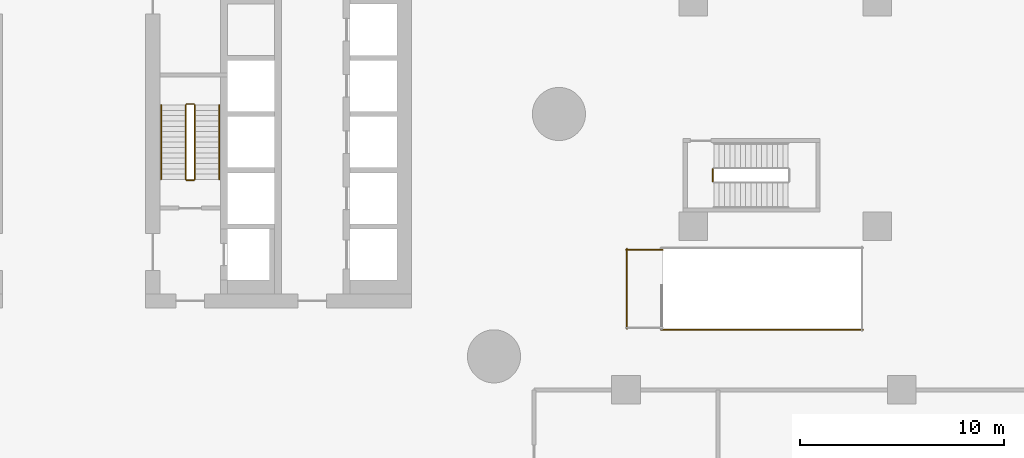
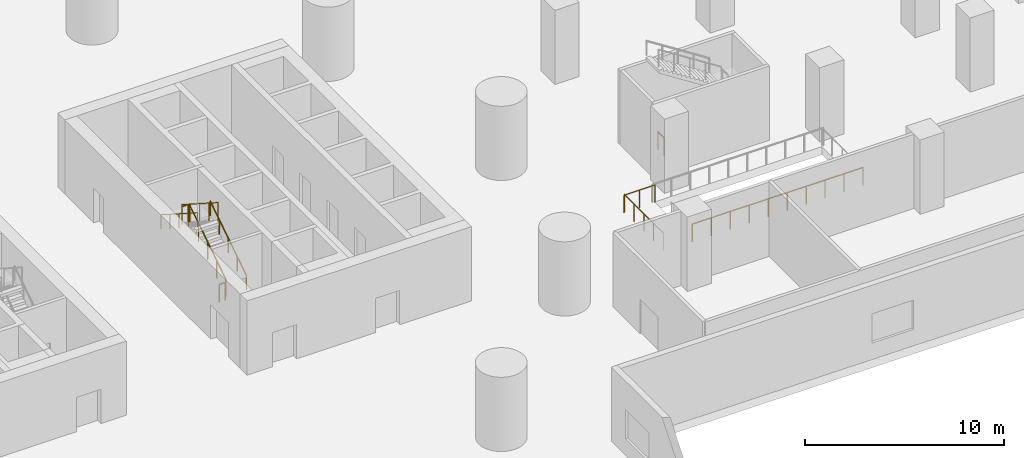
# One storey, part 34 of 38: 10 railings.
"""IFC4 building model written with IfcOpenShell, lengths in metres."""

import ifcopenshell
import ifcopenshell.guid

model = None  # the IFC model being written
_history = None  # IfcOwnerHistory: only IFC2X3 demands one
_inside = {}  # id of a spatial element -> (the spatial element, [elements in it])
_under = {}  # id of a project, library or spatial element -> (it, [spatial elements below it])
_declared = {}  # id of a project -> (the project, [libraries it declares])
_typed = {}  # id of a type object -> (the type object, [elements of that type])
_made_of = {}  # id of a material, layer set ... -> (it, [elements and type objects made of it])


def new_model(schema):
    """Start an empty IFC model of exactly this schema.

    Asked for "IFC4X3", IfcOpenShell would pick the latest addendum, in which some entities
    have other attributes; the version numbers below select the first issue.
    IFC2X3 requires an IfcOwnerHistory on every rooted entity: one is made here for all.
    """
    global model, _history
    if schema == "IFC4X3":
        model = ifcopenshell.file(schema_version=(4, 3, 0, 0))
    else:
        model = ifcopenshell.file(schema=schema)
    _inside.clear()
    _under.clear()
    _declared.clear()
    _typed.clear()
    _made_of.clear()
    _history = None
    if model.schema == "IFC2X3":
        org = make("IfcOrganization", Name="unknown")
        user = make(
            "IfcPersonAndOrganization",
            ThePerson=make("IfcPerson", FamilyName="unknown"),
            TheOrganization=org,
        )
        app = make(
            "IfcApplication",
            ApplicationDeveloper=org,
            Version="unknown",
            ApplicationFullName="unknown",
            ApplicationIdentifier="unknown",
        )
        _history = make(
            "IfcOwnerHistory",
            OwningUser=user,
            OwningApplication=app,
            ChangeAction="ADDED",
            CreationDate=0,
        )
    return model


def make(cls, **values):
    """One entity of the class cls with the attributes given. An attribute that is None is left unset."""
    return model.create_entity(
        cls, **{name: value for name, value in values.items() if value is not None}
    )


def rooted(cls, **values):
    """An entity with a GlobalId (a new one), such as an element, a storey or a relation."""
    return make(cls, GlobalId=ifcopenshell.guid.new(), OwnerHistory=_history, **values)


def si_unit(unit_type, name, prefix=None):
    """IfcSIUnit, for example si_unit("LENGTHUNIT", "METRE", prefix="MILLI")."""
    return make("IfcSIUnit", UnitType=unit_type, Prefix=prefix, Name=name)


def assignment(units):
    """IfcUnitAssignment: the units of a project."""
    return None if units is None else make("IfcUnitAssignment", Units=units)


def point(xyz):
    """IfcCartesianPoint."""
    return None if xyz is None else make("IfcCartesianPoint", Coordinates=xyz)


def direction(xyz):
    """IfcDirection."""
    return None if xyz is None else make("IfcDirection", DirectionRatios=xyz)


def frame(location, z_axis=None, x_axis=None):
    """IfcAxis2Placement3D, a coordinate frame: its origin and axes. An axis left out is left unset."""
    return make(
        "IfcAxis2Placement3D",
        Location=point(location),
        Axis=direction(z_axis),
        RefDirection=direction(x_axis),
    )


def frame_2d(location, x_axis=None):
    """IfcAxis2Placement2D, a coordinate frame in the plane: its origin and x axis."""
    return make(
        "IfcAxis2Placement2D", Location=point(location), RefDirection=direction(x_axis)
    )


def origin():
    """The frame at (0, 0, 0) with its axes left unset."""
    return frame((0.0, 0.0, 0.0))


def origin_2d():
    """The frame at (0, 0) in the plane with its x axis left unset."""
    return frame_2d((0.0, 0.0))


def place(relative_to, where):
    """IfcLocalPlacement: puts the frame where relative to a parent placement (None: the world)."""
    return make(
        "IfcLocalPlacement", PlacementRelTo=relative_to, RelativePlacement=where
    )


def context(
    kind, dimensions, precision=None, world=None, true_north=None, identifier=None
):
    """IfcGeometricRepresentationContext, for example the 3D "Model" context."""
    return make(
        "IfcGeometricRepresentationContext",
        ContextIdentifier=identifier,
        ContextType=kind,
        CoordinateSpaceDimension=dimensions,
        Precision=precision,
        WorldCoordinateSystem=world,
        TrueNorth=true_north,
    )


def subcontext(parent, identifier, kind, view, scale=None):
    """IfcGeometricRepresentationSubContext, for example "Body" below "Model"."""
    return make(
        "IfcGeometricRepresentationSubContext",
        ContextIdentifier=identifier,
        ContextType=kind,
        ParentContext=parent,
        TargetScale=scale,
        TargetView=view,
    )


def project(units=None, contexts=None):
    """IfcProject with its units and contexts."""
    return rooted(
        "IfcProject",
        Name="project",
        RepresentationContexts=contexts,
        UnitsInContext=assignment(units),
    )


def spatial(cls, under=None, at=None, **own):
    """A site, building, storey or space (cls), placed at a placement, below another one or the project."""
    s = rooted(cls, ObjectPlacement=at, **own)
    if under is not None:
        _under.setdefault(under.id(), (under, []))[1].append(s)
    return s


def profile(cls, at=None, kind="AREA", **sizes):
    """A parametric profile (cls). Its sizes go by their IFC names, for example OverallWidth=200.0."""
    return make(cls, ProfileType=kind, Position=at, **sizes)


def circle(**sizes):
    """IfcCircleProfileDef."""
    return profile("IfcCircleProfileDef", **sizes)


def extrude(swept, where, along, depth):
    """IfcExtrudedAreaSolid: the profile swept, set in the frame where, extruded along a direction by depth."""
    return make(
        "IfcExtrudedAreaSolid",
        SweptArea=swept,
        Position=where,
        ExtrudedDirection=direction(along),
        Depth=depth,
    )


def shape(context_of_items, identifier, shape_type, items):
    """IfcShapeRepresentation: the items that make up one representation, for example the "Body"."""
    return make(
        "IfcShapeRepresentation",
        ContextOfItems=context_of_items,
        RepresentationIdentifier=identifier,
        RepresentationType=shape_type,
        Items=items,
    )


def material(Name=None, Category=None):
    """IfcMaterial."""
    return make("IfcMaterial", Name=Name, Category=Category)


def made_of(thing, what):
    """Note that an element or type object is made of a material, layer set ...; save() writes the relation."""
    if what is not None:
        _made_of.setdefault(what.id(), (what, []))[1].append(thing)
    return thing


def type_object(cls, material=None, **own):
    """A type object (cls), such as IfcWallType, which elements share."""
    return made_of(rooted(cls, **own), material)


def element(
    cls,
    number,
    at=None,
    inside=None,
    cuts=None,
    type_object=None,
    material=None,
    context=None,
    identifier="Body",
    shape_type=None,
    held_by="IfcProductDefinitionShape",
    body=None,
    shapes=None,
    **own,
):
    """One element of the class cls, such as IfcWall. Its Tag is "e" and its number.

    at: its placement. inside: the storey or other place that contains it. cuts: it is an
    opening in that element (IfcRelVoidsElement). A single representation is given by context,
    identifier, shape_type and body (its items); several are given by shapes. held_by: the class
    of the entity that holds the representations. save() writes the other relations.
    """
    e = rooted(cls, Tag="e%d" % number, ObjectPlacement=at, **own)
    if body is not None:
        shapes = [shape(context, identifier, shape_type, body)]
    if shapes is not None:
        e.Representation = make(held_by, Representations=shapes)
    if inside is not None:
        _inside.setdefault(inside.id(), (inside, []))[1].append(e)
    if cuts is not None:
        rooted(
            "IfcRelVoidsElement", RelatingBuildingElement=cuts, RelatedOpeningElement=e
        )
    if type_object is not None:
        _typed.setdefault(type_object.id(), (type_object, []))[1].append(e)
    return made_of(e, material)


def aggregate(whole, parts):
    """IfcRelAggregates: a whole, such as a stair, and the parts it consists of."""
    return rooted("IfcRelAggregates", RelatingObject=whole, RelatedObjects=parts)


def save(model, path):
    """Write the relations noted so far, then the file.

    IfcRelAggregates (storeys below a building ...), IfcRelContainedInSpatialStructure (elements
    in a storey), IfcRelDefinesByType, IfcRelAssociatesMaterial and IfcRelDeclares: one each for
    every whole, place, type object, material and project.
    """
    for whole, parts in _under.values():
        aggregate(whole, parts)
    for where, things in _inside.values():
        rooted(
            "IfcRelContainedInSpatialStructure",
            RelatedElements=things,
            RelatingStructure=where,
        )
    for kind, things in _typed.values():
        rooted("IfcRelDefinesByType", RelatedObjects=things, RelatingType=kind)
    for what, things in _made_of.values():
        rooted("IfcRelAssociatesMaterial", RelatedObjects=things, RelatingMaterial=what)
    for by, libraries in _declared.values():
        rooted("IfcRelDeclares", RelatingContext=by, RelatedDefinitions=libraries)
    model.write(path)


model = new_model("IFC4")

# Units and contexts
model_context = context("Model", 3, precision=1e-05, world=origin(), true_north=direction((0.0, 1.0)))
body_context = subcontext(model_context, "Body", "Model", "MODEL_VIEW")
ifc_project = project(units=[si_unit("LENGTHUNIT", "METRE"), si_unit("AREAUNIT", "SQUARE_METRE"), si_unit("VOLUMEUNIT", "CUBIC_METRE"), si_unit("PLANEANGLEUNIT", "RADIAN"), si_unit("MASSUNIT", "GRAM", prefix="KILO")], contexts=[model_context])

# Site, building, storey
site_placement = place(None, origin())
site = spatial("IfcSite", under=ifc_project, at=site_placement, CompositionType="ELEMENT")
building_placement = place(site_placement, origin())
building = spatial("IfcBuilding", under=site, at=building_placement, Name="Tamarind Cross Interchange Tower", CompositionType="ELEMENT")
storey_placement = place(building_placement, frame((0.0, 0.0, 20.0)))
storey = spatial("IfcBuildingStorey", under=building, at=storey_placement, Name="L03", CompositionType="ELEMENT", Elevation=20.0)

# Railings
ifc_material_1 = material(Name="Public stair guard")
railing_type_1 = type_object("IfcRailingType", Name="Public stair guard", PredefinedType="GUARDRAIL", material=ifc_material_1)
railing_1_placement = place(storey_placement, frame((28.699951171875, -10.550048828125, 0.0)))
element("IfcRailing", 1, at=railing_1_placement, inside=storey, type_object=railing_type_1, Name="L03 PS-E top well guard 2", PredefinedType="GUARDRAIL", context=body_context, shape_type="SweptSolid", body=[
    extrude(circle(Radius=0.02392578125, at=origin_2d()), frame((0.0, 0.0, 1.076171875), z_axis=(1.0, 0.0, 0.0), x_axis=(0.0, 1.0, 0.0)), (0.0, 0.0, 1.0), 9.900146484375),
    extrude(circle(Radius=0.02099609375, at=origin_2d()), origin(), (0.0, 0.0, 1.0), 1.052001953125),
    extrude(circle(Radius=0.02099609375, at=origin_2d()), frame((1.10009765625, 0.0, 0.0)), (0.0, 0.0, 1.0), 1.052001953125),
    extrude(circle(Radius=0.02099609375, at=origin_2d()), frame((2.199951171875, 0.0, 0.0)), (0.0, 0.0, 1.0), 1.052001953125),
    extrude(circle(Radius=0.02099609375, at=origin_2d()), frame((3.300048828125, 0.0, 0.0)), (0.0, 0.0, 1.0), 1.052001953125),
    extrude(circle(Radius=0.02099609375, at=origin_2d()), frame((4.400146484375, 0.0, 0.0)), (0.0, 0.0, 1.0), 1.052001953125),
    extrude(circle(Radius=0.02099609375, at=origin_2d()), frame((5.5, 0.0, 0.0)), (0.0, 0.0, 1.0), 1.052001953125),
    extrude(circle(Radius=0.02099609375, at=origin_2d()), frame((6.60009765625, 0.0, 0.0)), (0.0, 0.0, 1.0), 1.052001953125),
    extrude(circle(Radius=0.02099609375, at=origin_2d()), frame((7.7001953125, 0.0, 0.0)), (0.0, 0.0, 1.0), 1.052001953125),
    extrude(circle(Radius=0.02099609375, at=origin_2d()), frame((8.800048828125, 0.0, 0.0)), (0.0, 0.0, 1.0), 1.052001953125),
    extrude(circle(Radius=0.02099609375, at=origin_2d()), frame((9.900146484375, 0.0, 0.0)), (0.0, 0.0, 1.0), 1.052001953125),
])
railing_2_placement = place(storey_placement, frame((27.0, -6.64990234375, 0.0)))
element("IfcRailing", 2, at=railing_2_placement, inside=storey, type_object=railing_type_1, Name="L03 PS-E top well guard 6", PredefinedType="GUARDRAIL", context=body_context, shape_type="SweptSolid", body=[
    extrude(circle(Radius=0.02392578125, at=origin_2d()), frame((0.0, 0.0, 1.076171875), z_axis=(1.0, 0.0, 0.0), x_axis=(0.0, 1.0, 0.0)), (0.0, 0.0, 1.0), 1.800048828125),
    extrude(circle(Radius=0.02099609375, at=origin_2d()), origin(), (0.0, 0.0, 1.0), 1.052001953125),
    extrude(circle(Radius=0.02099609375, at=origin_2d()), frame((0.89990234375, 0.0, 0.0)), (0.0, 0.0, 1.0), 1.052001953125),
    extrude(circle(Radius=0.02099609375, at=origin_2d()), frame((1.800048828125, 0.0, 0.0)), (0.0, 0.0, 1.0), 1.052001953125),
])
railing_3_placement = place(storey_placement, frame((27.050048828125, -10.5, 0.0)))
element("IfcRailing", 3, at=railing_3_placement, inside=storey, type_object=railing_type_1, Name="L03 PS-E top well guard 7", PredefinedType="GUARDRAIL", context=body_context, shape_type="SweptSolid", body=[
    extrude(circle(Radius=0.02392578125, at=origin_2d()), frame((0.0, 0.0, 1.076171875), z_axis=(0.0, 1.0, 0.0), x_axis=(-1.0, 0.0, 0.0)), (0.0, 0.0, 1.0), 3.89990234375),
    extrude(circle(Radius=0.02099609375, at=origin_2d()), origin(), (0.0, 0.0, 1.0), 1.052001953125),
    extrude(circle(Radius=0.02099609375, at=origin_2d()), frame((0.0, 0.97509765625, 0.0)), (0.0, 0.0, 1.0), 1.052001953125),
    extrude(circle(Radius=0.02099609375, at=origin_2d()), frame((0.0, 1.949951171875, 0.0)), (0.0, 0.0, 1.0), 1.052001953125),
    extrude(circle(Radius=0.02099609375, at=origin_2d()), frame((0.0, 2.9248046875, 0.0)), (0.0, 0.0, 1.0), 1.052001953125),
    extrude(circle(Radius=0.02099609375, at=origin_2d()), frame((0.0, 3.89990234375, 0.0)), (0.0, 0.0, 1.0), 1.052001953125),
])
ifc_material_2 = material(Name="Stair guard")
railing_type_2 = type_object("IfcRailingType", Name="Stair guard", PredefinedType="GUARDRAIL", material=ifc_material_2)
railing_4_placement = place(storey_placement, frame((5.89990234375, -3.199951171875, 0.166748046875)))
element("IfcRailing", 4, at=railing_4_placement, inside=storey, type_object=railing_type_2, Name="L03 ST2 stair guard 1", PredefinedType="GUARDRAIL", context=body_context, shape_type="SweptSolid", body=[
    extrude(circle(Radius=0.02392578125, at=origin_2d()), frame((0.0, 0.0, 1.076171875), z_axis=(0.0, 0.841880454617, 0.539664062296), x_axis=(-1.0, 0.0, 0.0)), (0.0, 0.0, 1.0), 4.323486328125),
    extrude(circle(Radius=0.02099609375, at=origin_2d()), origin(), (0.0, 0.0, 1.0), 1.052001953125),
    extrude(circle(Radius=0.02099609375, at=origin_2d()), frame((0.0, 0.909912109375, 0.583251953125)), (0.0, 0.0, 1.0), 1.052001953125),
    extrude(circle(Radius=0.02099609375, at=origin_2d()), frame((0.0, 1.81982421875, 1.16650390625)), (0.0, 0.0, 1.0), 1.052001953125),
    extrude(circle(Radius=0.02099609375, at=origin_2d()), frame((0.0, 2.72998046875, 1.75)), (0.0, 0.0, 1.0), 1.052001953125),
    extrude(circle(Radius=0.02099609375, at=origin_2d()), frame((0.0, 3.639892578125, 2.333251953125)), (0.0, 0.0, 1.0), 1.052001953125),
])
railing_5_placement = place(storey_placement, frame((5.85009765625, 0.489990234375, 2.5)))
element("IfcRailing", 5, at=railing_5_placement, inside=storey, type_object=railing_type_2, Name="L03 ST2 stair guard 2", PredefinedType="GUARDRAIL", context=body_context, shape_type="SweptSolid", body=[
    extrude(circle(Radius=0.02392578125, at=origin_2d()), frame((0.0, 0.0, 1.076171875), z_axis=(-1.0, 0.0, 0.0), x_axis=(0.0, -1.0, 0.0)), (0.0, 0.0, 1.0), 0.35009765625),
    extrude(circle(Radius=0.02099609375, at=origin_2d()), origin(), (0.0, 0.0, 1.0), 1.052001953125),
    extrude(circle(Radius=0.02099609375, at=origin_2d()), frame((-0.35009765625, 0.0, 0.0)), (0.0, 0.0, 1.0), 1.052001953125),
])
railing_6_placement = place(storey_placement, frame((5.449951171875, 0.43994140625, 2.666748046875)))
element("IfcRailing", 6, at=railing_6_placement, inside=storey, type_object=railing_type_2, Name="L03 ST2 stair guard 3", PredefinedType="GUARDRAIL", context=body_context, shape_type="SweptSolid", body=[
    extrude(circle(Radius=0.02392578125, at=origin_2d()), frame((0.0, 0.0, 1.076171875), z_axis=(0.0, -0.841880454617, 0.539664062296), x_axis=(1.0, 0.0, 0.0)), (0.0, 0.0, 1.0), 4.323486328125),
    extrude(circle(Radius=0.02099609375, at=origin_2d()), origin(), (0.0, 0.0, 1.0), 1.052001953125),
    extrude(circle(Radius=0.02099609375, at=origin_2d()), frame((0.0, -0.909912109375, 0.583251953125)), (0.0, 0.0, 1.0), 1.052001953125),
    extrude(circle(Radius=0.02099609375, at=origin_2d()), frame((0.0, -1.81982421875, 1.16650390625)), (0.0, 0.0, 1.0), 1.052001953125),
    extrude(circle(Radius=0.02099609375, at=origin_2d()), frame((0.0, -2.72998046875, 1.75)), (0.0, 0.0, 1.0), 1.052001953125),
    extrude(circle(Radius=0.02099609375, at=origin_2d()), frame((0.0, -3.639892578125, 2.333251953125)), (0.0, 0.0, 1.0), 1.052001953125),
])
railing_7_placement = place(storey_placement, frame((5.85009765625, -3.25, 0.0)))
element("IfcRailing", 7, at=railing_7_placement, inside=storey, type_object=railing_type_2, Name="L03 ST2 stair guard 4", PredefinedType="GUARDRAIL", context=body_context, shape_type="SweptSolid", body=[
    extrude(circle(Radius=0.02392578125, at=origin_2d()), frame((0.0, 0.0, 1.076171875), z_axis=(-1.0, 0.0, 0.0), x_axis=(0.0, -1.0, 0.0)), (0.0, 0.0, 1.0), 0.35009765625),
    extrude(circle(Radius=0.02099609375, at=origin_2d()), origin(), (0.0, 0.0, 1.0), 1.052001953125),
    extrude(circle(Radius=0.02099609375, at=origin_2d()), frame((-0.35009765625, 0.0, 0.0)), (0.0, 0.0, 1.0), 1.052001953125),
])
railing_8_placement = place(storey_placement, frame((31.25, -3.300048828125, 0.0)))
element("IfcRailing", 8, at=railing_8_placement, inside=storey, type_object=railing_type_2, Name="L03 ST3 stair guard 4", PredefinedType="GUARDRAIL", context=body_context, shape_type="SweptSolid", body=[
    extrude(circle(Radius=0.02392578125, at=origin_2d()), frame((0.0, 0.0, 1.076171875), z_axis=(0.0, 1.0, 0.0), x_axis=(-1.0, 0.0, 0.0)), (0.0, 0.0, 1.0), 0.60009765625),
    extrude(circle(Radius=0.02099609375, at=origin_2d()), origin(), (0.0, 0.0, 1.0), 1.052001953125),
    extrude(circle(Radius=0.02099609375, at=origin_2d()), frame((0.0, 0.60009765625, 0.0)), (0.0, 0.0, 1.0), 1.052001953125),
])
ifc_material_3 = material(Name="Stair handrail")
railing_type_3 = type_object("IfcRailingType", Name="Stair handrail", PredefinedType="HANDRAIL", material=ifc_material_3)
railing_9_placement = place(storey_placement, frame((7.10009765625, -3.199951171875, 0.166748046875)))
element("IfcRailing", 9, at=railing_9_placement, inside=storey, type_object=railing_type_3, Name="L03 ST2 stair handrail 1", PredefinedType="HANDRAIL", context=body_context, shape_type="SweptSolid", body=[
    extrude(circle(Radius=0.02392578125, at=origin_2d()), frame((0.0, 0.0, 0.8759765625), z_axis=(0.0, 0.841880454617, 0.539664062296), x_axis=(-1.0, 0.0, 0.0)), (0.0, 0.0, 1.0), 4.323486328125),
    extrude(circle(Radius=0.02099609375, at=origin_2d()), origin(), (0.0, 0.0, 1.0), 0.851806640625),
    extrude(circle(Radius=0.02099609375, at=origin_2d()), frame((0.0, 0.909912109375, 0.583251953125)), (0.0, 0.0, 1.0), 0.851806640625),
    extrude(circle(Radius=0.02099609375, at=origin_2d()), frame((0.0, 1.81982421875, 1.16650390625)), (0.0, 0.0, 1.0), 0.851806640625),
    extrude(circle(Radius=0.02099609375, at=origin_2d()), frame((0.0, 2.72998046875, 1.75)), (0.0, 0.0, 1.0), 0.851806640625),
    extrude(circle(Radius=0.02099609375, at=origin_2d()), frame((0.0, 3.639892578125, 2.333251953125)), (0.0, 0.0, 1.0), 0.851806640625),
])
railing_10_placement = place(storey_placement, frame((4.25, 0.43994140625, 2.666748046875)))
element("IfcRailing", 10, at=railing_10_placement, inside=storey, type_object=railing_type_3, Name="L03 ST2 stair handrail 2", PredefinedType="HANDRAIL", context=body_context, shape_type="SweptSolid", body=[
    extrude(circle(Radius=0.02392578125, at=origin_2d()), frame((0.0, 0.0, 0.8759765625), z_axis=(0.0, -0.841880454617, 0.539664062296), x_axis=(1.0, 0.0, 0.0)), (0.0, 0.0, 1.0), 4.323486328125),
    extrude(circle(Radius=0.02099609375, at=origin_2d()), origin(), (0.0, 0.0, 1.0), 0.851806640625),
    extrude(circle(Radius=0.02099609375, at=origin_2d()), frame((0.0, -0.909912109375, 0.583251953125)), (0.0, 0.0, 1.0), 0.851806640625),
    extrude(circle(Radius=0.02099609375, at=origin_2d()), frame((0.0, -1.81982421875, 1.16650390625)), (0.0, 0.0, 1.0), 0.851806640625),
    extrude(circle(Radius=0.02099609375, at=origin_2d()), frame((0.0, -2.72998046875, 1.75)), (0.0, 0.0, 1.0), 0.851806640625),
    extrude(circle(Radius=0.02099609375, at=origin_2d()), frame((0.0, -3.639892578125, 2.333251953125)), (0.0, 0.0, 1.0), 0.851806640625),
])

save(model, "model.ifc")
